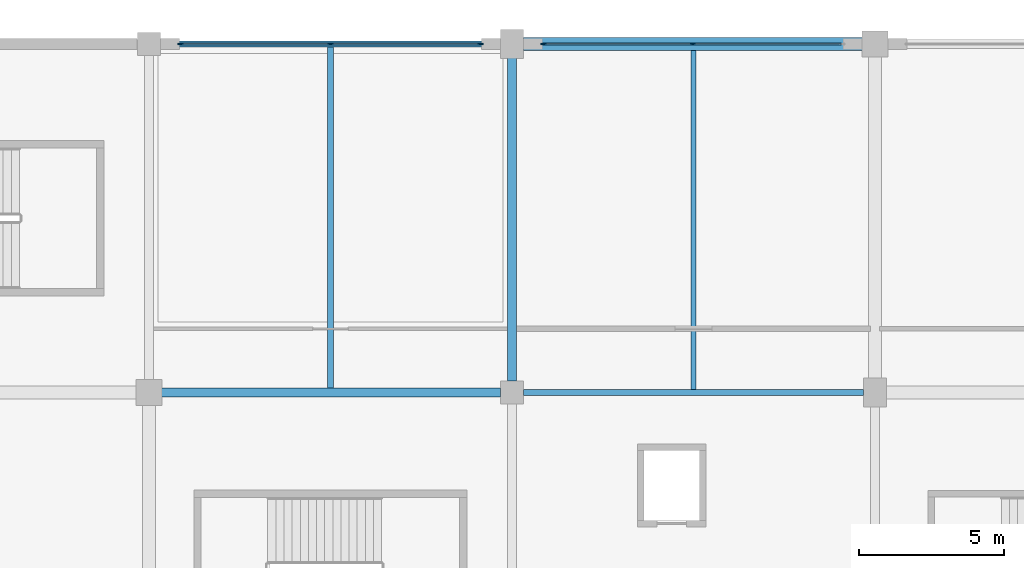
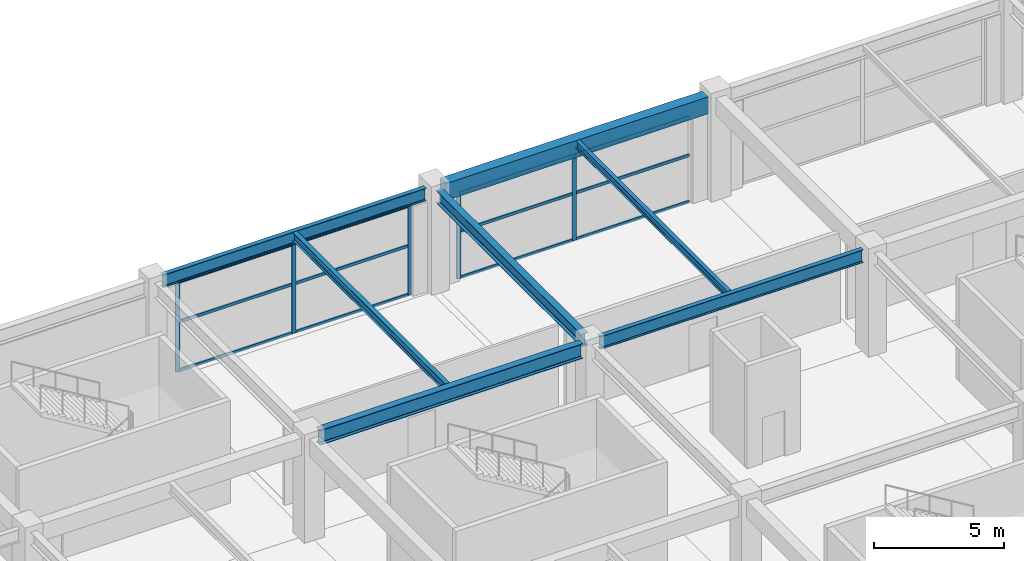
# One storey, part 50 of 116: 17 members, 7 beams, 2 elements without a shape of their own.
"""IFC4 building model written with IfcOpenShell, lengths in metres."""

from ifc_helpers import new_model, si_unit, direction, frame, origin, origin_2d, place, context, subcontext, project, spatial, rectangle, i_section, extrude, material, layer, layer_set, material_profile, profile_set, type_object, element, aggregate, save


model = new_model("IFC4")

# Units and contexts
model_context = context("Model", 3, precision=1e-05, world=origin(), true_north=direction((0.0, 1.0)))
body_context = subcontext(model_context, "Body", "Model", "MODEL_VIEW")
ifc_project = project(units=[si_unit("LENGTHUNIT", "METRE"), si_unit("AREAUNIT", "SQUARE_METRE"), si_unit("VOLUMEUNIT", "CUBIC_METRE"), si_unit("PLANEANGLEUNIT", "RADIAN"), si_unit("MASSUNIT", "GRAM", prefix="KILO")], contexts=[model_context])

# Site, building, storey
site_placement = place(None, origin())
site = spatial("IfcSite", under=ifc_project, at=site_placement, CompositionType="ELEMENT")
building_placement = place(site_placement, origin())
building = spatial("IfcBuilding", under=site, at=building_placement, Name="Kazenohara Klinker Stadium", CompositionType="ELEMENT")
storey_placement = place(building_placement, frame((0.0, 0.0, 10.199951171875)))
storey = spatial("IfcBuildingStorey", under=building, at=storey_placement, Name="L02", CompositionType="ELEMENT", Elevation=10.199951171875)

# Beams
ifc_material_1 = material(Name="Steel S355", Category="steel")
ifc_material_profile_1 = material_profile(ifc_material_1, i_section(OverallWidth=0.199951171875, OverallDepth=0.39990234375, WebThickness=0.008056640625, FlangeThickness=0.012939453125, FilletRadius=0.012939453125, at=origin_2d()), Name="H-400x200x8x13")
ifc_profile_set_1 = profile_set([ifc_material_profile_1], Name="Steel S355")
beam_type_1 = type_object("IfcBeamType", Name="BM-JST03", PredefinedType="JOIST", material=ifc_profile_set_1)
beam_1_placement = place(storey_placement, frame((80.25, 156.14990234375, 4.6201171875), z_axis=(0.0, 1.0, 0.0), x_axis=(-1.0, 0.0, 0.0)))
element("IfcBeam", 1, at=beam_1_placement, inside=storey, type_object=beam_type_1, Name="Secondary floor joist SJ03 L02 7/P", PredefinedType="JOIST", context=body_context, shape_type="SweptSolid", body=[
    extrude(i_section(OverallWidth=0.199951171875, OverallDepth=0.39990234375, WebThickness=0.008056640625, FlangeThickness=0.012939453125, FilletRadius=0.012939453125, at=origin_2d()), origin(), (0.0, 0.0, 1.0), 11.75),
])
ifc_material_profile_2 = material_profile(ifc_material_1, i_section(OverallWidth=0.175048828125, OverallDepth=0.35009765625, WebThickness=0.007080078125, FlangeThickness=0.010986328125, FilletRadius=0.012939453125, at=origin_2d()), Name="H-350x175x7x11")
ifc_profile_set_2 = profile_set([ifc_material_profile_2], Name="Steel S355")
beam_type_2 = type_object("IfcBeamType", Name="BM-JST04", PredefinedType="JOIST", material=ifc_profile_set_2)
beam_2_placement = place(storey_placement, frame((92.75, 156.10009765625, 4.64501953125), z_axis=(0.0, 1.0, 0.0), x_axis=(-1.0, 0.0, 0.0)))
element("IfcBeam", 2, at=beam_2_placement, inside=storey, type_object=beam_type_2, Name="Secondary floor joist SJ04 L02 8/P", PredefinedType="JOIST", context=body_context, shape_type="SweptSolid", body=[
    extrude(i_section(OverallWidth=0.175048828125, OverallDepth=0.35009765625, WebThickness=0.007080078125, FlangeThickness=0.010986328125, FilletRadius=0.012939453125, at=origin_2d()), origin(), (0.0, 0.0, 1.0), 11.6748046875),
])
ifc_material_2 = material(Name="Concrete C40/50", Category="concrete")
ifc_material_profile_3 = material_profile(ifc_material_2, rectangle(XDim=0.449951171875, YDim=0.800048828125, at=origin_2d()), Name="RC-BM-450x800")
ifc_profile_set_3 = profile_set([ifc_material_profile_3], Name="Concrete C40/50")
beam_type_3 = type_object("IfcBeamType", Name="BM-RC03", PredefinedType="BEAM", material=ifc_profile_set_3)
beam_3_placement = place(storey_placement, frame((86.89990234375, 168.0, 4.420166015625), z_axis=(1.0, 0.0, 0.0), x_axis=(0.0, 1.0, 0.0)))
element("IfcBeam", 3, at=beam_3_placement, inside=storey, type_object=beam_type_3, Name="Primary girder BG03 L02 8-9/Q", PredefinedType="BEAM", context=body_context, shape_type="SweptSolid", body=[
    extrude(rectangle(XDim=0.449951171875, YDim=0.800048828125, at=origin_2d()), origin(), (0.0, 0.0, 1.0), 11.68017578125),
])
ifc_material_profile_4 = material_profile(ifc_material_1, i_section(OverallWidth=0.300048828125, OverallDepth=0.699951171875, WebThickness=0.012939453125, FlangeThickness=0.02392578125, FilletRadius=0.02197265625, at=origin_2d()), Name="H-700x300x13x24")
ifc_profile_set_4 = profile_set([ifc_material_profile_4], Name="Steel S355")
beam_type_4 = type_object("IfcBeamType", Name="BM-ST03", PredefinedType="BEAM", material=ifc_profile_set_4)
beam_4_placement = place(storey_placement, frame((74.419921875, 156.0, 4.469970703125), z_axis=(1.0, 0.0, 0.0), x_axis=(0.0, 1.0, 0.0)))
element("IfcBeam", 4, at=beam_4_placement, inside=storey, type_object=beam_type_4, Name="Primary girder SB03 L02 7-8/P", PredefinedType="BEAM", context=body_context, shape_type="SweptSolid", body=[
    extrude(i_section(OverallWidth=0.300048828125, OverallDepth=0.699951171875, WebThickness=0.012939453125, FlangeThickness=0.02392578125, FilletRadius=0.02197265625, at=origin_2d()), origin(), (0.0, 0.0, 1.0), 11.68017578125),
])
ifc_material_profile_5 = material_profile(ifc_material_1, i_section(OverallWidth=0.199951171875, OverallDepth=0.60009765625, WebThickness=0.010986328125, FlangeThickness=0.01708984375, FilletRadius=0.012939453125, at=origin_2d()), Name="H-600x200x11x17")
ifc_profile_set_5 = profile_set([ifc_material_profile_5], Name="Steel S355")
beam_type_5 = type_object("IfcBeamType", Name="BM-ST04", PredefinedType="BEAM", material=ifc_profile_set_5)
for number, where, z_axis, x_axis, name in (
    (5, (74.39990234375, 168.0, 4.52001953125), (1.0, 0.0, 0.0), (0.0, 1.0, 0.0), "Primary girder SB04 L02 7-8/Q"),
    (6, (86.89990234375, 156.0, 4.52001953125), (1.0, 0.0, 0.0), (0.0, 1.0, 0.0), "Primary girder SB04 L02 8-9/P"),
):
    element("IfcBeam", number, at=place(storey_placement, frame(where, z_axis=z_axis, x_axis=x_axis)), inside=storey, type_object=beam_type_5, Name=name, PredefinedType="BEAM", context=body_context, shape_type="SweptSolid", body=[
        extrude(i_section(OverallWidth=0.199951171875, OverallDepth=0.60009765625, WebThickness=0.010986328125, FlangeThickness=0.01708984375, FilletRadius=0.012939453125, at=origin_2d()), origin(), (0.0, 0.0, 1.0), 11.7001953125),
    ])
ifc_material_profile_6 = material_profile(ifc_material_1, i_section(OverallWidth=0.300048828125, OverallDepth=0.587890625, WebThickness=0.011962890625, FlangeThickness=0.02001953125, FilletRadius=0.02197265625, at=origin_2d()), Name="H-588x300x12x20")
ifc_profile_set_6 = profile_set([ifc_material_profile_6], Name="Steel S355")
beam_type_6 = type_object("IfcBeamType", Name="BM-ST05", PredefinedType="BEAM", material=ifc_profile_set_6)
beam_5_placement = place(storey_placement, frame((86.5, 156.39990234375, 4.526123046875), z_axis=(0.0, 1.0, 0.0), x_axis=(-1.0, 0.0, 0.0)))
element("IfcBeam", 7, at=beam_5_placement, inside=storey, type_object=beam_type_6, Name="Primary girder SB05 L02 8/P-Q", PredefinedType="BEAM", context=body_context, shape_type="SweptSolid", body=[
    extrude(i_section(OverallWidth=0.300048828125, OverallDepth=0.587890625, WebThickness=0.011962890625, FlangeThickness=0.02001953125, FilletRadius=0.02197265625, at=origin_2d()), origin(), (0.0, 0.0, 1.0), 11.18017578125),
])

# Curtain wall, members
ifc_material_3 = material(Name="Anodised aluminium and triple glazing", Category="aluminium")
ifc_layer_1 = layer(ifc_material_3, 0.169921875)
ifc_layer_set_1 = layer_set([ifc_layer_1], Name="Anodised aluminium and triple glazing")
curtain_wall_type_1 = type_object("IfcCurtainWallType", Name="CW-SYS-04", PredefinedType="USERDEFINED", material=ifc_layer_set_1)
curtain_wall_1_placement = place(storey_placement, origin())
curtain_wall_1 = element("IfcCurtainWall", 8, at=curtain_wall_1_placement, inside=storey, type_object=curtain_wall_type_1, Name="Unitised facade curtain wall CW04 L02 X6-14", ObjectType="UNITISED CURTAIN WALL", PredefinedType="USERDEFINED")
ifc_material_4 = material(Name="Anodised aluminium 6063-T6", Category="aluminium")
ifc_material_profile_7 = material_profile(ifc_material_4, rectangle(XDim=0.06494140625, YDim=0.179931640625, at=origin_2d()), Name="ALU-MUL-65x180")
ifc_profile_set_7 = profile_set([ifc_material_profile_7], Name="Anodised aluminium 6063-T6")
member_type_1 = type_object("IfcMemberType", Name="CW-MUL-180", PredefinedType="MULLION", material=ifc_profile_set_7)
member_1_placement = place(storey_placement, frame((75.08642578125, 168.0, 0.0), z_axis=(0.0, 0.0, 1.0), x_axis=(0.0, 1.0, 0.0)))
member_1 = element("IfcMember", 9, at=member_1_placement, type_object=member_type_1, Name="CW04 mullion 1", PredefinedType="MULLION", context=body_context, shape_type="SweptSolid", body=[
    extrude(rectangle(XDim=0.06494140625, YDim=0.179931640625, at=origin_2d()), origin(), (0.0, 0.0, 1.0), 4.219970703125),
])
member_2_placement = place(storey_placement, frame((80.25, 168.0, 0.0), z_axis=(0.0, 0.0, 1.0), x_axis=(0.0, 1.0, 0.0)))
member_2 = element("IfcMember", 10, at=member_2_placement, type_object=member_type_1, Name="CW04 mullion 2", PredefinedType="MULLION", context=body_context, shape_type="SweptSolid", body=[
    extrude(rectangle(XDim=0.06494140625, YDim=0.179931640625, at=origin_2d()), origin(), (0.0, 0.0, 1.0), 4.219970703125),
])
member_3_placement = place(storey_placement, frame((85.41357421875, 168.0, 0.0), z_axis=(0.0, 0.0, 1.0), x_axis=(0.0, 1.0, 0.0)))
member_3 = element("IfcMember", 11, at=member_3_placement, type_object=member_type_1, Name="CW04 mullion 3", PredefinedType="MULLION", context=body_context, shape_type="SweptSolid", body=[
    extrude(rectangle(XDim=0.06494140625, YDim=0.179931640625, at=origin_2d()), origin(), (0.0, 0.0, 1.0), 4.219970703125),
])

ifc_layer_2 = layer(ifc_material_3, 0.159912109375)
ifc_layer_set_2 = layer_set([ifc_layer_2], Name="Anodised aluminium and triple glazing")
curtain_wall_type_2 = type_object("IfcCurtainWallType", Name="CW-SYS-01", PredefinedType="USERDEFINED", material=ifc_layer_set_2)
curtain_wall_2_placement = place(storey_placement, origin())
curtain_wall_2 = element("IfcCurtainWall", 12, at=curtain_wall_2_placement, inside=storey, type_object=curtain_wall_type_2, Name="Unitised facade curtain wall CW01 L02 X7-14", ObjectType="UNITISED CURTAIN WALL", PredefinedType="USERDEFINED")
member_4_placement = place(storey_placement, frame((87.58642578125, 168.0, 0.0), z_axis=(0.0, 0.0, 1.0), x_axis=(0.0, 1.0, 0.0)))
member_4 = element("IfcMember", 13, at=member_4_placement, type_object=member_type_1, Name="CW01 mullion 1", PredefinedType="MULLION", context=body_context, shape_type="SweptSolid", body=[
    extrude(rectangle(XDim=0.06494140625, YDim=0.179931640625, at=origin_2d()), origin(), (0.0, 0.0, 1.0), 4.02001953125),
])
member_5_placement = place(storey_placement, frame((92.72509765625, 168.0, 0.0), z_axis=(0.0, 0.0, 1.0), x_axis=(0.0, 1.0, 0.0)))
member_5 = element("IfcMember", 14, at=member_5_placement, type_object=member_type_1, Name="CW01 mullion 2", PredefinedType="MULLION", context=body_context, shape_type="SweptSolid", body=[
    extrude(rectangle(XDim=0.06494140625, YDim=0.179931640625, at=origin_2d()), origin(), (0.0, 0.0, 1.0), 4.02001953125),
])

# Member
ifc_material_profile_8 = material_profile(ifc_material_4, rectangle(XDim=0.06494140625, YDim=0.139892578125, at=origin_2d()), Name="ALU-TRN-65x140")
ifc_profile_set_8 = profile_set([ifc_material_profile_8], Name="Anodised aluminium 6063-T6")
member_type_2 = type_object("IfcMemberType", Name="CW-TRN-140", PredefinedType="USERDEFINED", material=ifc_profile_set_8)
member_6_placement = place(storey_placement, frame((75.118896484375, 168.0, 0.032470703125), z_axis=(1.0, 0.0, 0.0), x_axis=(0.0, 1.0, 0.0)))
member_6 = element("IfcMember", 15, at=member_6_placement, type_object=member_type_2, Name="CW04 transom 1.1", ObjectType="TRANSOM", PredefinedType="USERDEFINED", context=body_context, shape_type="SweptSolid", body=[
    extrude(rectangle(XDim=0.06494140625, YDim=0.139892578125, at=origin_2d()), origin(), (0.0, 0.0, 1.0), 5.0986328125),
])

member_7_placement = place(storey_placement, frame((75.118896484375, 168.0, 2.321044921875), z_axis=(1.0, 0.0, 0.0), x_axis=(0.0, 1.0, 0.0)))
member_7 = element("IfcMember", 16, at=member_7_placement, type_object=member_type_2, Name="CW04 transom 1.2", ObjectType="TRANSOM", PredefinedType="USERDEFINED", context=body_context, shape_type="SweptSolid", body=[
    extrude(rectangle(XDim=0.06494140625, YDim=0.139892578125, at=origin_2d()), origin(), (0.0, 0.0, 1.0), 5.0986328125),
])

member_8_placement = place(storey_placement, frame((75.118896484375, 168.0, 4.1875), z_axis=(1.0, 0.0, 0.0), x_axis=(0.0, 1.0, 0.0)))
member_8 = element("IfcMember", 17, at=member_8_placement, type_object=member_type_2, Name="CW04 transom 1.3", ObjectType="TRANSOM", PredefinedType="USERDEFINED", context=body_context, shape_type="SweptSolid", body=[
    extrude(rectangle(XDim=0.06494140625, YDim=0.139892578125, at=origin_2d()), origin(), (0.0, 0.0, 1.0), 5.0986328125),
])

member_9_placement = place(storey_placement, frame((80.282470703125, 168.0, 0.032470703125), z_axis=(1.0, 0.0, 0.0), x_axis=(0.0, 1.0, 0.0)))
member_9 = element("IfcMember", 18, at=member_9_placement, type_object=member_type_2, Name="CW04 transom 2.1", ObjectType="TRANSOM", PredefinedType="USERDEFINED", context=body_context, shape_type="SweptSolid", body=[
    extrude(rectangle(XDim=0.06494140625, YDim=0.139892578125, at=origin_2d()), origin(), (0.0, 0.0, 1.0), 5.0986328125),
])

member_10_placement = place(storey_placement, frame((80.282470703125, 168.0, 2.321044921875), z_axis=(1.0, 0.0, 0.0), x_axis=(0.0, 1.0, 0.0)))
member_10 = element("IfcMember", 19, at=member_10_placement, type_object=member_type_2, Name="CW04 transom 2.2", ObjectType="TRANSOM", PredefinedType="USERDEFINED", context=body_context, shape_type="SweptSolid", body=[
    extrude(rectangle(XDim=0.06494140625, YDim=0.139892578125, at=origin_2d()), origin(), (0.0, 0.0, 1.0), 5.0986328125),
])

member_11_placement = place(storey_placement, frame((80.282470703125, 168.0, 4.1875), z_axis=(1.0, 0.0, 0.0), x_axis=(0.0, 1.0, 0.0)))
member_11 = element("IfcMember", 20, at=member_11_placement, type_object=member_type_2, Name="CW04 transom 2.3", ObjectType="TRANSOM", PredefinedType="USERDEFINED", context=body_context, shape_type="SweptSolid", body=[
    extrude(rectangle(XDim=0.06494140625, YDim=0.139892578125, at=origin_2d()), origin(), (0.0, 0.0, 1.0), 5.0986328125),
])

aggregate(curtain_wall_1, [member_1, member_2, member_3, member_6, member_7, member_8, member_9, member_10, member_11])

member_12_placement = place(storey_placement, frame((87.618896484375, 168.0, 0.032470703125), z_axis=(1.0, 0.0, 0.0), x_axis=(0.0, 1.0, 0.0)))
member_12 = element("IfcMember", 21, at=member_12_placement, type_object=member_type_2, Name="CW01 transom 1.1", ObjectType="TRANSOM", PredefinedType="USERDEFINED", context=body_context, shape_type="SweptSolid", body=[
    extrude(rectangle(XDim=0.06494140625, YDim=0.139892578125, at=origin_2d()), origin(), (0.0, 0.0, 1.0), 5.073486328125),
])

member_13_placement = place(storey_placement, frame((87.618896484375, 168.0, 2.2109375), z_axis=(1.0, 0.0, 0.0), x_axis=(0.0, 1.0, 0.0)))
member_13 = element("IfcMember", 22, at=member_13_placement, type_object=member_type_2, Name="CW01 transom 1.2", ObjectType="TRANSOM", PredefinedType="USERDEFINED", context=body_context, shape_type="SweptSolid", body=[
    extrude(rectangle(XDim=0.06494140625, YDim=0.139892578125, at=origin_2d()), origin(), (0.0, 0.0, 1.0), 5.073486328125),
])

member_14_placement = place(storey_placement, frame((87.618896484375, 168.0, 3.987548828125), z_axis=(1.0, 0.0, 0.0), x_axis=(0.0, 1.0, 0.0)))
member_14 = element("IfcMember", 23, at=member_14_placement, type_object=member_type_2, Name="CW01 transom 1.3", ObjectType="TRANSOM", PredefinedType="USERDEFINED", context=body_context, shape_type="SweptSolid", body=[
    extrude(rectangle(XDim=0.06494140625, YDim=0.139892578125, at=origin_2d()), origin(), (0.0, 0.0, 1.0), 5.073486328125),
])

member_15_placement = place(storey_placement, frame((92.757568359375, 168.0, 0.032470703125), z_axis=(1.0, 0.0, 0.0), x_axis=(0.0, 1.0, 0.0)))
member_15 = element("IfcMember", 24, at=member_15_placement, type_object=member_type_2, Name="CW01 transom 2.1", ObjectType="TRANSOM", PredefinedType="USERDEFINED", context=body_context, shape_type="SweptSolid", body=[
    extrude(rectangle(XDim=0.06494140625, YDim=0.139892578125, at=origin_2d()), origin(), (0.0, 0.0, 1.0), 5.073486328125),
])

member_16_placement = place(storey_placement, frame((92.757568359375, 168.0, 2.2109375), z_axis=(1.0, 0.0, 0.0), x_axis=(0.0, 1.0, 0.0)))
member_16 = element("IfcMember", 25, at=member_16_placement, type_object=member_type_2, Name="CW01 transom 2.2", ObjectType="TRANSOM", PredefinedType="USERDEFINED", context=body_context, shape_type="SweptSolid", body=[
    extrude(rectangle(XDim=0.06494140625, YDim=0.139892578125, at=origin_2d()), origin(), (0.0, 0.0, 1.0), 5.073486328125),
])

member_17_placement = place(storey_placement, frame((92.757568359375, 168.0, 3.987548828125), z_axis=(1.0, 0.0, 0.0), x_axis=(0.0, 1.0, 0.0)))
member_17 = element("IfcMember", 26, at=member_17_placement, type_object=member_type_2, Name="CW01 transom 2.3", ObjectType="TRANSOM", PredefinedType="USERDEFINED", context=body_context, shape_type="SweptSolid", body=[
    extrude(rectangle(XDim=0.06494140625, YDim=0.139892578125, at=origin_2d()), origin(), (0.0, 0.0, 1.0), 5.073486328125),
])

aggregate(curtain_wall_2, [member_4, member_5, member_12, member_13, member_14, member_15, member_16, member_17])

save(model, "model.ifc")
